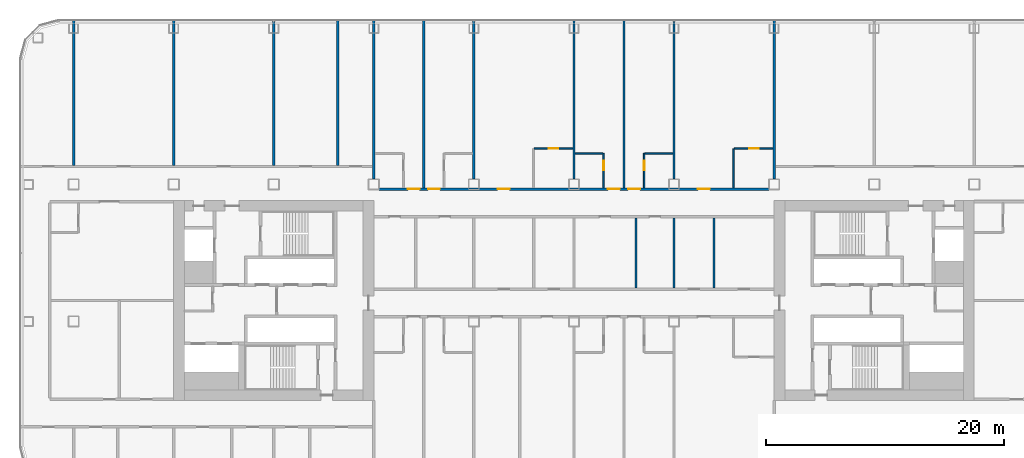
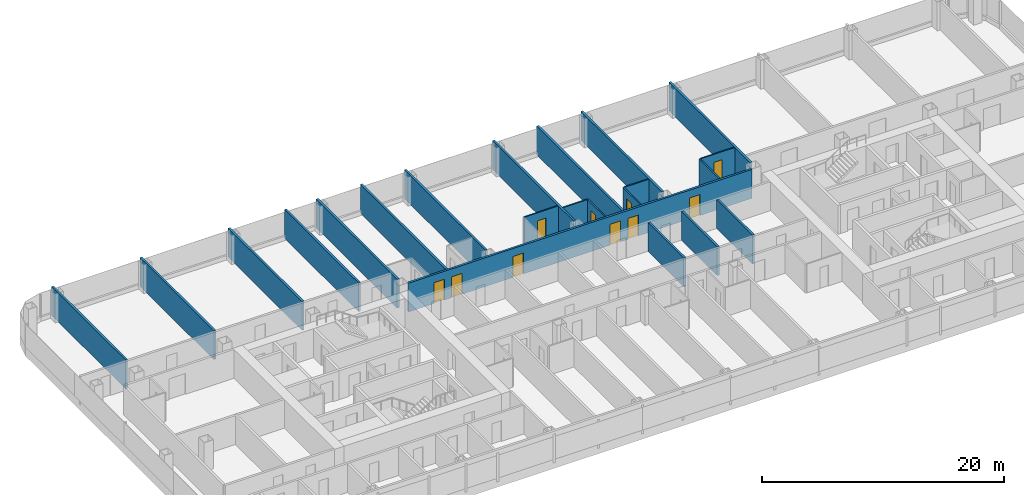
# One storey, part 18 of 29: 22 walls, 10 doors, 10 openings.
"""IFC4 building model written with IfcOpenShell, lengths in metres."""

from ifc_helpers import new_model, si_unit, direction, frame, frame_2d, origin, place, context, subcontext, project, spatial, rectangle, extrude, material, layer, layer_set, type_object, element, fill, save


model = new_model("IFC4")

# Units and contexts
model_context = context("Model", 3, precision=1e-05, world=origin(), true_north=direction((0.0, 1.0)))
body_context = subcontext(model_context, "Body", "Model", "MODEL_VIEW")
ifc_project = project(units=[si_unit("LENGTHUNIT", "METRE"), si_unit("AREAUNIT", "SQUARE_METRE"), si_unit("VOLUMEUNIT", "CUBIC_METRE"), si_unit("PLANEANGLEUNIT", "RADIAN"), si_unit("MASSUNIT", "GRAM", prefix="KILO")], contexts=[model_context])

# Site, building, storey
site_placement = place(None, origin())
site = spatial("IfcSite", under=ifc_project, at=site_placement, CompositionType="ELEMENT")
building_placement = place(site_placement, origin())
building = spatial("IfcBuilding", under=site, at=building_placement, Name="Hakoniwa Tower and Hamabe Station Hall", CompositionType="ELEMENT")
storey_placement = place(building_placement, frame((0.0, 0.0, 117.0)))
storey = spatial("IfcBuildingStorey", under=building, at=storey_placement, Name="L33", CompositionType="ELEMENT", Elevation=117.0)

# Walls
ifc_material_1 = material(Name="Gypsum board partition", Category="gypsum")
ifc_layer_1 = layer(ifc_material_1, 0.125)
ifc_layer_set_1 = layer_set([ifc_layer_1], Name="Bathroom Partition 125")
wall_type_1 = type_object("IfcWallType", Name="Bathroom Partition 125", PredefinedType="PARTITIONING", material=ifc_layer_set_1)
wall_1_placement = place(storey_placement, frame((0.10009765625, 12.35009765625, 0.0), z_axis=(0.0, 0.0, 1.0), x_axis=(1.0, 0.0, 0.0)))
element("IfcWall", 1, at=wall_1_placement, inside=storey, type_object=wall_type_1, Name="GW-L33-025", PredefinedType="PARTITIONING", context=body_context, shape_type="SweptSolid", body=[
    extrude(rectangle(XDim=2.33740234375, YDim=0.125, at=frame_2d((1.168701171875, 0.0))), origin(), (0.0, 0.0, 1.0), 2.89990234375),
])
wall_2_placement = place(storey_placement, frame((5.96240234375, 12.35009765625, 0.0), z_axis=(0.0, 0.0, 1.0), x_axis=(1.0, 0.0, 0.0)))
element("IfcWall", 2, at=wall_2_placement, inside=storey, type_object=wall_type_1, Name="GW-L33-026", PredefinedType="PARTITIONING", context=body_context, shape_type="SweptSolid", body=[
    extrude(rectangle(XDim=2.337646484375, YDim=0.125, at=frame_2d((1.1689453125, 0.0))), origin(), (0.0, 0.0, 1.0), 2.89990234375),
])

# Wall, opening, door
wall_3_placement = place(storey_placement, frame((-3.33740234375, 12.75, 0.0), z_axis=(0.0, 0.0, 1.0), x_axis=(1.0, 0.0, 0.0)))
wall_3 = element("IfcWall", 3, at=wall_3_placement, inside=storey, type_object=wall_type_1, Name="GW-L33-027", PredefinedType="PARTITIONING", context=body_context, shape_type="SweptSolid", body=[
    extrude(rectangle(XDim=3.2373046875, YDim=0.125, at=frame_2d((1.61865234375, 0.0))), origin(), (0.0, 0.0, 1.0), 2.89990234375),
])
opening_1_placement = place(wall_3_placement, frame((1.237548828125, 0.0, 0.0)))
opening_1 = element("IfcOpeningElement", 4, at=opening_1_placement, cuts=wall_3, Name="Opening GD-G2D2-52", PredefinedType="OPENING", context=body_context, shape_type="SweptSolid", body=[
    extrude(rectangle(XDim=0.800048828125, YDim=2.10009765625, at=frame_2d((0.39990234375, 1.050048828125))), frame((0.0, 0.072509765625, 0.0), z_axis=(0.0, -1.0, 0.0), x_axis=(1.0, 0.0, 0.0)), (0.0, 0.0, 1.0), 0.14501953125),
])
ifc_material_2 = material(Name="Timber door leaf", Category="wood")
door_type_1 = type_object("IfcDoorType", Name="Bathroom Door 800", OperationType="SINGLE_SWING_LEFT", PredefinedType="DOOR", material=ifc_material_2)
door_1_placement = place(opening_1_placement, origin())
door_1 = element("IfcDoor", 5, at=door_1_placement, inside=storey, type_object=door_type_1, Name="Door GD-G2D2-52", OperationType="SINGLE_SWING_LEFT", OverallHeight=2.10009765625, OverallWidth=0.800048828125, PredefinedType="DOOR", context=body_context, shape_type="SweptSolid", body=[
    extrude(rectangle(XDim=0.800048828125, YDim=2.10009765625, at=frame_2d((0.39990234375, 1.050048828125))), frame((0.0, 0.02490234375, 0.0), z_axis=(0.0, -1.0, 0.0), x_axis=(1.0, 0.0, 0.0)), (0.0, 0.0, 1.0), 0.050048828125),
])
fill(opening_1, door_1)

wall_4_placement = place(storey_placement, frame((13.46240234375, 12.75, 0.0), z_axis=(0.0, 0.0, 1.0), x_axis=(1.0, 0.0, 0.0)))
wall_4 = element("IfcWall", 6, at=wall_4_placement, inside=storey, type_object=wall_type_1, Name="GW-L33-028", PredefinedType="PARTITIONING", context=body_context, shape_type="SweptSolid", body=[
    extrude(rectangle(XDim=3.237548828125, YDim=0.125, at=frame_2d((1.61865234375, 0.0))), origin(), (0.0, 0.0, 1.0), 2.89990234375),
])
opening_2_placement = place(wall_4_placement, frame((1.237548828125, 0.0, 0.0)))
opening_2 = element("IfcOpeningElement", 7, at=opening_2_placement, cuts=wall_4, Name="Opening GD-G2D2-53", PredefinedType="OPENING", context=body_context, shape_type="SweptSolid", body=[
    extrude(rectangle(XDim=0.800048828125, YDim=2.10009765625, at=frame_2d((0.39990234375, 1.050048828125))), frame((0.0, 0.072509765625, 0.0), z_axis=(0.0, -1.0, 0.0), x_axis=(1.0, 0.0, 0.0)), (0.0, 0.0, 1.0), 0.14501953125),
])
door_2_placement = place(opening_2_placement, origin())
door_2 = element("IfcDoor", 8, at=door_2_placement, inside=storey, type_object=door_type_1, Name="Door GD-G2D2-53", OperationType="SINGLE_SWING_RIGHT", OverallHeight=2.10009765625, OverallWidth=0.800048828125, PredefinedType="DOOR", context=body_context, shape_type="SweptSolid", body=[
    extrude(rectangle(XDim=0.800048828125, YDim=2.10009765625, at=frame_2d((0.39990234375, 1.050048828125))), frame((0.0, 0.02490234375, 0.0), z_axis=(0.0, -1.0, 0.0), x_axis=(1.0, 0.0, 0.0)), (0.0, 0.0, 1.0), 0.050048828125),
])
fill(opening_2, door_2)

wall_5_placement = place(storey_placement, frame((2.5, 9.449951171875, 0.0), z_axis=(0.0, 0.0, 1.0), x_axis=(0.0, 1.0, 0.0)))
wall_5 = element("IfcWall", 9, at=wall_5_placement, inside=storey, type_object=wall_type_1, Name="GW-L33-061", PredefinedType="PARTITIONING", context=body_context, shape_type="SweptSolid", body=[
    extrude(rectangle(XDim=2.900146484375, YDim=0.125, at=frame_2d((1.4501953125, 0.0))), origin(), (0.0, 0.0, 1.0), 2.89990234375),
])
opening_3_placement = place(wall_5_placement, frame((1.5, 0.0, 0.0)))
opening_3 = element("IfcOpeningElement", 10, at=opening_3_placement, cuts=wall_5, Name="Opening GD-G2D2-60", PredefinedType="OPENING", context=body_context, shape_type="SweptSolid", body=[
    extrude(rectangle(XDim=0.800048828125, YDim=2.10009765625, at=frame_2d((0.39990234375, 1.050048828125))), frame((0.0, 0.072509765625, 0.0), z_axis=(0.0, -1.0, 0.0), x_axis=(1.0, 0.0, 0.0)), (0.0, 0.0, 1.0), 0.14501953125),
])
door_3_placement = place(opening_3_placement, origin())
door_3 = element("IfcDoor", 11, at=door_3_placement, inside=storey, type_object=door_type_1, Name="Door GD-G2D2-60", OperationType="SINGLE_SWING_LEFT", OverallHeight=2.10009765625, OverallWidth=0.800048828125, PredefinedType="DOOR", context=body_context, shape_type="SweptSolid", body=[
    extrude(rectangle(XDim=0.800048828125, YDim=2.10009765625, at=frame_2d((0.39990234375, 1.050048828125))), frame((0.0, 0.02490234375, 0.0), z_axis=(0.0, -1.0, 0.0), x_axis=(1.0, 0.0, 0.0)), (0.0, 0.0, 1.0), 0.050048828125),
])
fill(opening_3, door_3)

wall_6_placement = place(storey_placement, frame((5.89990234375, 9.449951171875, 0.0), z_axis=(0.0, 0.0, 1.0), x_axis=(0.0, 1.0, 0.0)))
wall_6 = element("IfcWall", 12, at=wall_6_placement, inside=storey, type_object=wall_type_1, Name="GW-L33-066", PredefinedType="PARTITIONING", context=body_context, shape_type="SweptSolid", body=[
    extrude(rectangle(XDim=2.900146484375, YDim=0.125, at=frame_2d((1.4501953125, 0.0))), origin(), (0.0, 0.0, 1.0), 2.89990234375),
])
opening_4_placement = place(wall_6_placement, frame((1.5, 0.0, 0.0)))
opening_4 = element("IfcOpeningElement", 13, at=opening_4_placement, cuts=wall_6, Name="Opening GD-G2D2-62", PredefinedType="OPENING", context=body_context, shape_type="SweptSolid", body=[
    extrude(rectangle(XDim=0.800048828125, YDim=2.10009765625, at=frame_2d((0.39990234375, 1.050048828125))), frame((0.0, 0.072509765625, 0.0), z_axis=(0.0, -1.0, 0.0), x_axis=(1.0, 0.0, 0.0)), (0.0, 0.0, 1.0), 0.14501953125),
])
door_4_placement = place(opening_4_placement, origin())
door_4 = element("IfcDoor", 14, at=door_4_placement, inside=storey, type_object=door_type_1, Name="Door GD-G2D2-62", OperationType="SINGLE_SWING_RIGHT", OverallHeight=2.10009765625, OverallWidth=0.800048828125, PredefinedType="DOOR", context=body_context, shape_type="SweptSolid", body=[
    extrude(rectangle(XDim=0.800048828125, YDim=2.10009765625, at=frame_2d((0.39990234375, 1.050048828125))), frame((0.0, 0.02490234375, 0.0), z_axis=(0.0, -1.0, 0.0), x_axis=(1.0, 0.0, 0.0)), (0.0, 0.0, 1.0), 0.050048828125),
])
fill(opening_4, door_4)

# Wall
wall_7_placement = place(storey_placement, frame((13.39990234375, 9.449951171875, 0.0), z_axis=(0.0, 0.0, 1.0), x_axis=(0.0, 1.0, 0.0)))
element("IfcWall", 15, at=wall_7_placement, inside=storey, type_object=wall_type_1, Name="GW-L33-072", PredefinedType="PARTITIONING", context=body_context, shape_type="SweptSolid", body=[
    extrude(rectangle(XDim=3.300048828125, YDim=0.125, at=frame_2d((1.64990234375, 0.0))), origin(), (0.0, 0.0, 1.0), 2.89990234375),
])

# Wall, openings, doors
ifc_material_3 = material(Name="Fire-rated gypsum board partition", Category="gypsum")
ifc_layer_2 = layer(ifc_material_3, 0.199951171875)
ifc_layer_set_2 = layer_set([ifc_layer_2], Name="Corridor Wall 200")
wall_type_2 = type_object("IfcWallType", Name="Corridor Wall 200", PredefinedType="PARTITIONING", material=ifc_layer_set_2)
wall_8_placement = place(storey_placement, frame((-16.360107421875, 9.35009765625, 0.0), z_axis=(0.0, 0.0, 1.0), x_axis=(1.0, 0.0, 0.0)))
wall_8 = element("IfcWall", 16, at=wall_8_placement, inside=storey, type_object=wall_type_2, Name="GW-L33-020", PredefinedType="PARTITIONING", context=body_context, shape_type="SweptSolid", body=[
    extrude(rectangle(XDim=32.72021484375, YDim=0.199951171875, at=frame_2d((16.360107421875, 0.0))), origin(), (0.0, 0.0, 1.0), 2.89990234375),
])
opening_5_placement = place(wall_8_placement, frame((2.409912109375, 0.0, 0.0)))
opening_5 = element("IfcOpeningElement", 17, at=opening_5_placement, cuts=wall_8, Name="Opening GD-G2D2-37", PredefinedType="OPENING", context=body_context, shape_type="SweptSolid", body=[
    extrude(rectangle(XDim=1.0, YDim=2.10009765625, at=frame_2d((0.5, 1.050048828125))), frame((0.0, 0.10986328125, 0.0), z_axis=(0.0, -1.0, 0.0), x_axis=(1.0, 0.0, 0.0)), (0.0, 0.0, 1.0), 0.219970703125),
])
opening_6_placement = place(wall_8_placement, frame((4.110107421875, 0.0, 0.0)))
opening_6 = element("IfcOpeningElement", 18, at=opening_6_placement, cuts=wall_8, Name="Opening GD-G2D2-38", PredefinedType="OPENING", context=body_context, shape_type="SweptSolid", body=[
    extrude(rectangle(XDim=1.0, YDim=2.10009765625, at=frame_2d((0.5, 1.050048828125))), frame((0.0, 0.10986328125, 0.0), z_axis=(0.0, -1.0, 0.0), x_axis=(1.0, 0.0, 0.0)), (0.0, 0.0, 1.0), 0.219970703125),
])
opening_7_placement = place(wall_8_placement, frame((9.9599609375, 0.0, 0.0)))
opening_7 = element("IfcOpeningElement", 19, at=opening_7_placement, cuts=wall_8, Name="Opening GD-G2D2-39", PredefinedType="OPENING", context=body_context, shape_type="SweptSolid", body=[
    extrude(rectangle(XDim=1.0, YDim=2.10009765625, at=frame_2d((0.5, 1.050048828125))), frame((0.0, 0.10986328125, 0.0), z_axis=(0.0, -1.0, 0.0), x_axis=(1.0, 0.0, 0.0)), (0.0, 0.0, 1.0), 0.219970703125),
])
opening_8_placement = place(wall_8_placement, frame((19.2099609375, 0.0, 0.0)))
opening_8 = element("IfcOpeningElement", 20, at=opening_8_placement, cuts=wall_8, Name="Opening GD-G2D2-40", PredefinedType="OPENING", context=body_context, shape_type="SweptSolid", body=[
    extrude(rectangle(XDim=1.0, YDim=2.10009765625, at=frame_2d((0.5, 1.050048828125))), frame((0.0, 0.10986328125, 0.0), z_axis=(0.0, -1.0, 0.0), x_axis=(1.0, 0.0, 0.0)), (0.0, 0.0, 1.0), 0.219970703125),
])
opening_9_placement = place(wall_8_placement, frame((20.909912109375, 0.0, 0.0)))
opening_9 = element("IfcOpeningElement", 21, at=opening_9_placement, cuts=wall_8, Name="Opening GD-G2D2-41", PredefinedType="OPENING", context=body_context, shape_type="SweptSolid", body=[
    extrude(rectangle(XDim=1.0, YDim=2.10009765625, at=frame_2d((0.5, 1.050048828125))), frame((0.0, 0.10986328125, 0.0), z_axis=(0.0, -1.0, 0.0), x_axis=(1.0, 0.0, 0.0)), (0.0, 0.0, 1.0), 0.219970703125),
])
opening_10_placement = place(wall_8_placement, frame((26.760009765625, 0.0, 0.0)))
opening_10 = element("IfcOpeningElement", 22, at=opening_10_placement, cuts=wall_8, Name="Opening GD-G2D2-42", PredefinedType="OPENING", context=body_context, shape_type="SweptSolid", body=[
    extrude(rectangle(XDim=1.0, YDim=2.10009765625, at=frame_2d((0.5, 1.050048828125))), frame((0.0, 0.10986328125, 0.0), z_axis=(0.0, -1.0, 0.0), x_axis=(1.0, 0.0, 0.0)), (0.0, 0.0, 1.0), 0.219970703125),
])
ifc_material_4 = material(Name="Timber door leaf", Category="wood")
door_type_2 = type_object("IfcDoorType", Name="Guest Entrance Door 1000", OperationType="SINGLE_SWING_LEFT", PredefinedType="DOOR", material=ifc_material_4)
door_5_placement = place(opening_5_placement, origin())
door_5 = element("IfcDoor", 23, at=door_5_placement, inside=storey, type_object=door_type_2, Name="Door GD-G2D2-37", OperationType="SINGLE_SWING_LEFT", OverallHeight=2.10009765625, OverallWidth=1.0, PredefinedType="DOOR", context=body_context, shape_type="SweptSolid", body=[
    extrude(rectangle(XDim=1.0, YDim=2.10009765625, at=frame_2d((0.5, 1.050048828125))), frame((0.0, 0.02490234375, 0.0), z_axis=(0.0, -1.0, 0.0), x_axis=(1.0, 0.0, 0.0)), (0.0, 0.0, 1.0), 0.050048828125),
])
fill(opening_5, door_5)
door_6_placement = place(opening_6_placement, origin())
door_6 = element("IfcDoor", 24, at=door_6_placement, inside=storey, type_object=door_type_2, Name="Door GD-G2D2-38", OperationType="SINGLE_SWING_RIGHT", OverallHeight=2.10009765625, OverallWidth=1.0, PredefinedType="DOOR", context=body_context, shape_type="SweptSolid", body=[
    extrude(rectangle(XDim=1.0, YDim=2.10009765625, at=frame_2d((0.5, 1.050048828125))), frame((0.0, 0.02490234375, 0.0), z_axis=(0.0, -1.0, 0.0), x_axis=(1.0, 0.0, 0.0)), (0.0, 0.0, 1.0), 0.050048828125),
])
fill(opening_6, door_6)
door_7_placement = place(opening_7_placement, origin())
door_7 = element("IfcDoor", 25, at=door_7_placement, inside=storey, type_object=door_type_2, Name="Door GD-G2D2-39", OperationType="SINGLE_SWING_LEFT", OverallHeight=2.10009765625, OverallWidth=1.0, PredefinedType="DOOR", context=body_context, shape_type="SweptSolid", body=[
    extrude(rectangle(XDim=1.0, YDim=2.10009765625, at=frame_2d((0.5, 1.050048828125))), frame((0.0, 0.02490234375, 0.0), z_axis=(0.0, -1.0, 0.0), x_axis=(1.0, 0.0, 0.0)), (0.0, 0.0, 1.0), 0.050048828125),
])
fill(opening_7, door_7)
door_8_placement = place(opening_8_placement, origin())
door_8 = element("IfcDoor", 26, at=door_8_placement, inside=storey, type_object=door_type_2, Name="Door GD-G2D2-40", OperationType="SINGLE_SWING_LEFT", OverallHeight=2.10009765625, OverallWidth=1.0, PredefinedType="DOOR", context=body_context, shape_type="SweptSolid", body=[
    extrude(rectangle(XDim=1.0, YDim=2.10009765625, at=frame_2d((0.5, 1.050048828125))), frame((0.0, 0.02490234375, 0.0), z_axis=(0.0, -1.0, 0.0), x_axis=(1.0, 0.0, 0.0)), (0.0, 0.0, 1.0), 0.050048828125),
])
fill(opening_8, door_8)
door_9_placement = place(opening_9_placement, origin())
door_9 = element("IfcDoor", 27, at=door_9_placement, inside=storey, type_object=door_type_2, Name="Door GD-G2D2-41", OperationType="SINGLE_SWING_RIGHT", OverallHeight=2.10009765625, OverallWidth=1.0, PredefinedType="DOOR", context=body_context, shape_type="SweptSolid", body=[
    extrude(rectangle(XDim=1.0, YDim=2.10009765625, at=frame_2d((0.5, 1.050048828125))), frame((0.0, 0.02490234375, 0.0), z_axis=(0.0, -1.0, 0.0), x_axis=(1.0, 0.0, 0.0)), (0.0, 0.0, 1.0), 0.050048828125),
])
fill(opening_9, door_9)
door_10_placement = place(opening_10_placement, origin())
door_10 = element("IfcDoor", 28, at=door_10_placement, inside=storey, type_object=door_type_2, Name="Door GD-G2D2-42", OperationType="SINGLE_SWING_LEFT", OverallHeight=2.10009765625, OverallWidth=1.0, PredefinedType="DOOR", context=body_context, shape_type="SweptSolid", body=[
    extrude(rectangle(XDim=1.0, YDim=2.10009765625, at=frame_2d((0.5, 1.050048828125))), frame((0.0, 0.02490234375, 0.0), z_axis=(0.0, -1.0, 0.0), x_axis=(1.0, 0.0, 0.0)), (0.0, 0.0, 1.0), 0.050048828125),
])
fill(opening_10, door_10)

# Walls
ifc_material_5 = material(Name="Fire-rated gypsum board partition", Category="gypsum")
ifc_layer_3 = layer(ifc_material_5, 0.199951171875)
ifc_layer_set_3 = layer_set([ifc_layer_3], Name="Party Wall 200")
wall_type_3 = type_object("IfcWallType", Name="Party Wall 200", PredefinedType="PARTITIONING", material=ifc_layer_set_3)
for number, where, z_axis, x_axis, name in (
    (29, (-42.0, 11.35009765625, 0.0), (0.0, 0.0, 1.0), (0.0, 1.0, 0.0), "GW-L33-031"),
    (30, (-33.60009765625, 11.35009765625, 0.0), (0.0, 0.0, 1.0), (0.0, 1.0, 0.0), "GW-L33-036"),
    (31, (-25.199951171875, 11.35009765625, 0.0), (0.0, 0.0, 1.0), (0.0, 1.0, 0.0), "GW-L33-039"),
    (32, (-19.820068359375, 11.35009765625, 0.0), (0.0, 0.0, 1.0), (0.0, 1.0, 0.0), "GW-L33-041"),
):
    element("IfcWall", number, at=place(storey_placement, frame(where, z_axis=z_axis, x_axis=x_axis)), inside=storey, type_object=wall_type_3, Name=name, PredefinedType="PARTITIONING", context=body_context, shape_type="SweptSolid", body=[
        extrude(rectangle(XDim=12.199951171875, YDim=0.199951171875, at=frame_2d((6.10009765625, 0.0))), origin(), (0.0, 0.0, 1.0), 2.89990234375),
    ])
wall_9_placement = place(storey_placement, frame((-16.800048828125, 10.18994140625, 0.0), z_axis=(0.0, 0.0, 1.0), x_axis=(0.0, 1.0, 0.0)))
element("IfcWall", 33, at=wall_9_placement, inside=storey, type_object=wall_type_3, Name="GW-L33-043", PredefinedType="PARTITIONING", context=body_context, shape_type="SweptSolid", body=[
    extrude(rectangle(XDim=13.360107421875, YDim=0.199951171875, at=frame_2d((6.68017578125, 0.0))), origin(), (0.0, 0.0, 1.0), 2.89990234375),
])
wall_10_placement = place(storey_placement, frame((-12.60009765625, 9.449951171875, 0.0), z_axis=(0.0, 0.0, 1.0), x_axis=(0.0, 1.0, 0.0)))
element("IfcWall", 34, at=wall_10_placement, inside=storey, type_object=wall_type_3, Name="GW-L33-048", PredefinedType="PARTITIONING", context=body_context, shape_type="SweptSolid", body=[
    extrude(rectangle(XDim=14.10009765625, YDim=0.199951171875, at=frame_2d((7.050048828125, 0.0))), origin(), (0.0, 0.0, 1.0), 2.89990234375),
])
for number, where, z_axis, x_axis, name in (
    (35, (-8.39990234375, 10.18994140625, 0.0), (0.0, 0.0, 1.0), (0.0, 1.0, 0.0), "GW-L33-053"),
    (36, (0.0, 10.18994140625, 0.0), (0.0, 0.0, 1.0), (0.0, 1.0, 0.0), "GW-L33-059"),
):
    element("IfcWall", number, at=place(storey_placement, frame(where, z_axis=z_axis, x_axis=x_axis)), inside=storey, type_object=wall_type_3, Name=name, PredefinedType="PARTITIONING", context=body_context, shape_type="SweptSolid", body=[
        extrude(rectangle(XDim=13.360107421875, YDim=0.199951171875, at=frame_2d((6.68017578125, 0.0))), origin(), (0.0, 0.0, 1.0), 2.89990234375),
    ])
wall_11_placement = place(storey_placement, frame((4.199951171875, 9.449951171875, 0.0), z_axis=(0.0, 0.0, 1.0), x_axis=(0.0, 1.0, 0.0)))
element("IfcWall", 37, at=wall_11_placement, inside=storey, type_object=wall_type_3, Name="GW-L33-063", PredefinedType="PARTITIONING", context=body_context, shape_type="SweptSolid", body=[
    extrude(rectangle(XDim=14.10009765625, YDim=0.199951171875, at=frame_2d((7.050048828125, 0.0))), origin(), (0.0, 0.0, 1.0), 2.89990234375),
])
for number, where, z_axis, x_axis, name in (
    (38, (5.2099609375, 1.050048828125, 0.0), (0.0, 0.0, 1.0), (0.0, 1.0, 0.0), "GW-L33-064"),
    (39, (8.39990234375, 1.050048828125, 0.0), (0.0, 0.0, 1.0), (0.0, 1.0, 0.0), "GW-L33-068"),
):
    element("IfcWall", number, at=place(storey_placement, frame(where, z_axis=z_axis, x_axis=x_axis)), inside=storey, type_object=wall_type_3, Name=name, PredefinedType="PARTITIONING", context=body_context, shape_type="SweptSolid", body=[
        extrude(rectangle(XDim=5.89990234375, YDim=0.199951171875, at=frame_2d((2.949951171875, 0.0))), origin(), (0.0, 0.0, 1.0), 2.89990234375),
    ])
wall_12_placement = place(storey_placement, frame((8.39990234375, 10.18994140625, 0.0), z_axis=(0.0, 0.0, 1.0), x_axis=(0.0, 1.0, 0.0)))
element("IfcWall", 40, at=wall_12_placement, inside=storey, type_object=wall_type_3, Name="GW-L33-069", PredefinedType="PARTITIONING", context=body_context, shape_type="SweptSolid", body=[
    extrude(rectangle(XDim=13.360107421875, YDim=0.199951171875, at=frame_2d((6.68017578125, 0.0))), origin(), (0.0, 0.0, 1.0), 2.89990234375),
])
wall_13_placement = place(storey_placement, frame((11.760009765625, 1.050048828125, 0.0), z_axis=(0.0, 0.0, 1.0), x_axis=(0.0, 1.0, 0.0)))
element("IfcWall", 41, at=wall_13_placement, inside=storey, type_object=wall_type_3, Name="GW-L33-070", PredefinedType="PARTITIONING", context=body_context, shape_type="SweptSolid", body=[
    extrude(rectangle(XDim=5.89990234375, YDim=0.199951171875, at=frame_2d((2.949951171875, 0.0))), origin(), (0.0, 0.0, 1.0), 2.89990234375),
])
wall_14_placement = place(storey_placement, frame((16.800048828125, 10.18994140625, 0.0), z_axis=(0.0, 0.0, 1.0), x_axis=(0.0, 1.0, 0.0)))
element("IfcWall", 42, at=wall_14_placement, inside=storey, type_object=wall_type_3, Name="GW-L33-074", PredefinedType="PARTITIONING", context=body_context, shape_type="SweptSolid", body=[
    extrude(rectangle(XDim=13.360107421875, YDim=0.199951171875, at=frame_2d((6.68017578125, 0.0))), origin(), (0.0, 0.0, 1.0), 2.89990234375),
])

save(model, "model.ifc")
